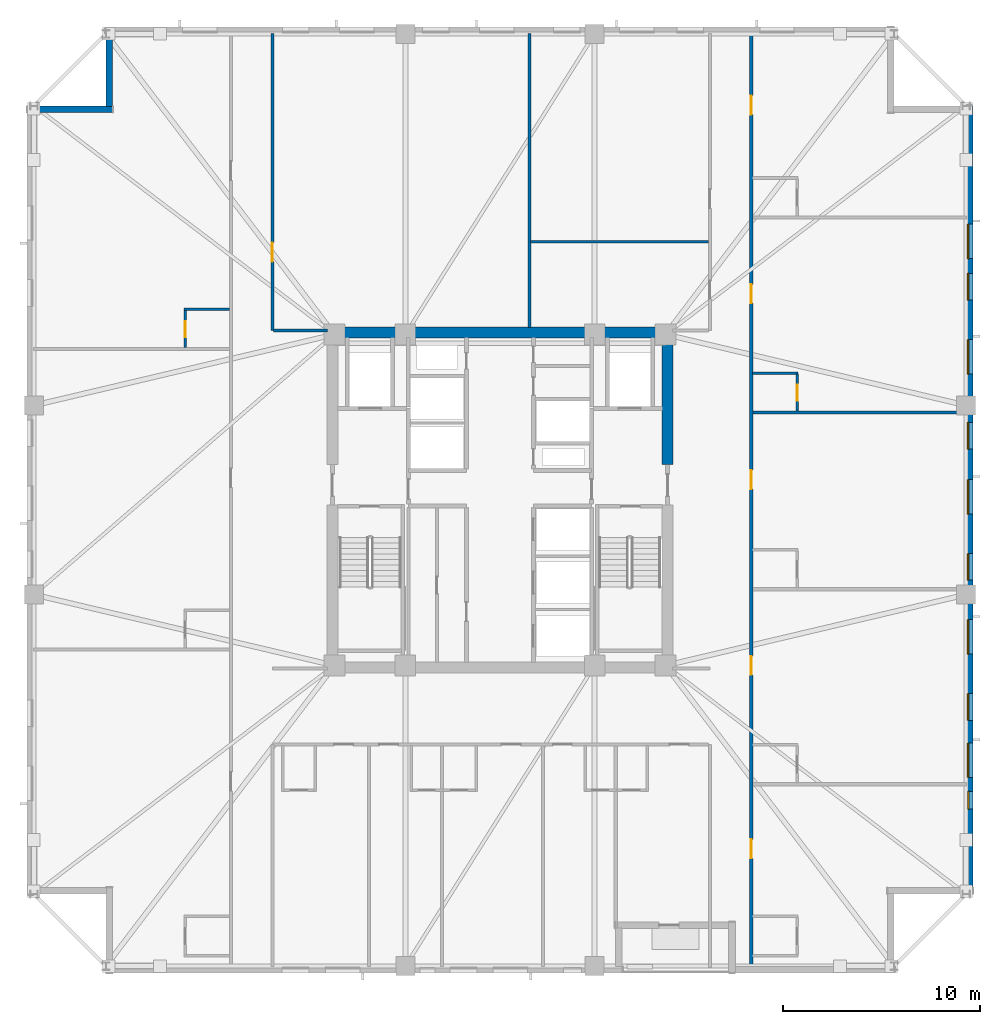
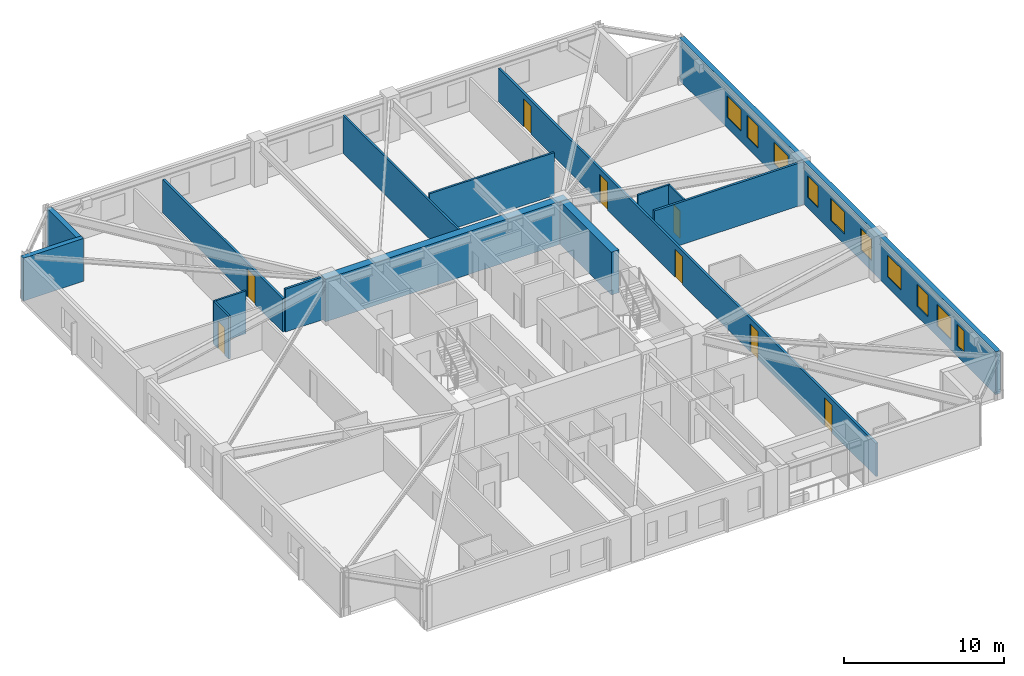
# One storey, part 5 of 11: 15 walls, 10 windows, 8 doors, 18 openings.
"""IFC4 building model written with IfcOpenShell, lengths in metres."""

from ifc_helpers import new_model, si_unit, direction, frame, frame_2d, origin, place, context, subcontext, project, spatial, rectangle, extrude, material, layer, layer_set, type_object, element, fill, save


model = new_model("IFC4")

# Units and contexts
model_context = context("Model", 3, precision=1e-05, world=origin(), true_north=direction((0.0, 1.0)))
body_context = subcontext(model_context, "Body", "Model", "MODEL_VIEW")
ifc_project = project(units=[si_unit("LENGTHUNIT", "METRE"), si_unit("AREAUNIT", "SQUARE_METRE"), si_unit("VOLUMEUNIT", "CUBIC_METRE"), si_unit("PLANEANGLEUNIT", "RADIAN"), si_unit("MASSUNIT", "GRAM", prefix="KILO")], contexts=[model_context])

# Site, building, storey
site_placement = place(None, origin())
site = spatial("IfcSite", under=ifc_project, at=site_placement, CompositionType="ELEMENT")
building_placement = place(site_placement, origin())
building = spatial("IfcBuilding", under=site, at=building_placement, Name="Cairnveth Concourse Tower", CompositionType="ELEMENT")
storey_placement = place(building_placement, frame((0.0, 0.0, 165.5)))
storey = spatial("IfcBuildingStorey", under=building, at=storey_placement, Name="L45", CompositionType="ELEMENT", Elevation=165.5)

# Wall, opening, door
ifc_material_1 = material(Name="Gypsum Plasterboard Partition", Category="gypsum")
ifc_layer_1 = layer(ifc_material_1, 0.159912109375)
ifc_layer_set_1 = layer_set([ifc_layer_1], Name="Gypsum Plasterboard Partition")
wall_type_1 = type_object("IfcWallType", Name="ACOUSTIC PARTY WALL 180", PredefinedType="PARTITIONING", material=ifc_layer_set_1)
wall_1_placement = place(storey_placement, frame((40.449951171875, 47.60009765625, 0.0), z_axis=(0.0, 0.0, 1.0), x_axis=(0.0, 1.0, 0.0)))
wall_1 = element("IfcWall", 1, at=wall_1_placement, inside=storey, type_object=wall_type_1, Name="Interior Wall IW-L45-039", PredefinedType="PARTITIONING", context=body_context, shape_type="SweptSolid", body=[
    extrude(rectangle(XDim=15.074951171875, YDim=0.159912109375, at=frame_2d((7.53759765625, 0.0))), origin(), (0.0, 0.0, 1.0), 2.554931640625),
])
opening_1_placement = place(wall_1_placement, frame((3.5, 0.0, 0.0)))
opening_1 = element("IfcOpeningElement", 2, at=opening_1_placement, cuts=wall_1, Name="Opening ID11", PredefinedType="OPENING", context=body_context, shape_type="SweptSolid", body=[
    extrude(rectangle(XDim=0.9599609375, YDim=2.1201171875, at=frame_2d((0.47998046875, 1.06005859375))), frame((0.0, 0.08984375, 0.0), z_axis=(0.0, -1.0, 0.0), x_axis=(1.0, 0.0, 0.0)), (0.0, 0.0, 1.0), 0.179931640625),
])
ifc_material_2 = material(Name="Solid Core Hardwood Timber Leaf", Category="wood")
door_type_1 = type_object("IfcDoorType", Name="INTERIOR SINGLE DOOR 960X2150", OperationType="NOTDEFINED", PredefinedType="DOOR", material=ifc_material_2)
door_1_placement = place(opening_1_placement, origin())
door_1 = element("IfcDoor", 3, at=door_1_placement, inside=storey, type_object=door_type_1, Name="Interior Door DR-L45-016", OperationType="SINGLE_SWING_RIGHT", OverallHeight=2.1201171875, OverallWidth=0.9599609375, PredefinedType="DOOR", context=body_context, shape_type="SweptSolid", body=[
    extrude(rectangle(XDim=0.9599609375, YDim=2.1201171875, at=frame_2d((0.47998046875, 1.06005859375))), frame((0.0, 0.02490234375, 0.0), z_axis=(0.0, -1.0, 0.0), x_axis=(1.0, 0.0, 0.0)), (0.0, 0.0, 1.0), 0.050048828125),
])
fill(opening_1, door_1)

# Wall
wall_2_placement = place(storey_placement, frame((40.514892578125, 47.60009765625, 0.0), z_axis=(0.0, 0.0, 1.0), x_axis=(1.0, 0.0, 0.0)))
element("IfcWall", 4, at=wall_2_placement, inside=storey, type_object=wall_type_1, Name="Interior Wall IW-L45-041", PredefinedType="PARTITIONING", context=body_context, shape_type="SweptSolid", body=[
    extrude(rectangle(XDim=2.72021484375, YDim=0.159912109375, at=frame_2d((1.360107421875, 0.0))), origin(), (0.0, 0.0, 1.0), 3.280029296875),
])

# Wall, openings, doors
wall_3_placement = place(storey_placement, frame((64.75, 15.324951171875, 0.0), z_axis=(0.0, 0.0, 1.0), x_axis=(0.0, 1.0, 0.0)))
wall_3 = element("IfcWall", 5, at=wall_3_placement, inside=storey, type_object=wall_type_1, Name="Interior Wall IW-L45-042", PredefinedType="PARTITIONING", context=body_context, shape_type="SweptSolid", body=[
    extrude(rectangle(XDim=47.35009765625, YDim=0.159912109375, at=frame_2d((23.675048828125, 0.0))), origin(), (0.0, 0.0, 1.0), 2.554931640625),
])
opening_2_placement = place(wall_3_placement, frame((5.49365234375, 0.0, 0.0)))
opening_2 = element("IfcOpeningElement", 6, at=opening_2_placement, cuts=wall_3, Name="Opening ID09", PredefinedType="OPENING", context=body_context, shape_type="SweptSolid", body=[
    extrude(rectangle(XDim=0.9599609375, YDim=2.14990234375, at=frame_2d((0.47998046875, 1.074951171875))), frame((0.0, 0.08984375, 0.0), z_axis=(0.0, -1.0, 0.0), x_axis=(1.0, 0.0, 0.0)), (0.0, 0.0, 1.0), 0.179931640625),
])
opening_3_placement = place(wall_3_placement, frame((14.795654296875, 0.0, 0.0)))
opening_3 = element("IfcOpeningElement", 7, at=opening_3_placement, cuts=wall_3, Name="Opening ID09", PredefinedType="OPENING", context=body_context, shape_type="SweptSolid", body=[
    extrude(rectangle(XDim=0.9599609375, YDim=2.14990234375, at=frame_2d((0.47998046875, 1.074951171875))), frame((0.0, 0.08984375, 0.0), z_axis=(0.0, -1.0, 0.0), x_axis=(1.0, 0.0, 0.0)), (0.0, 0.0, 1.0), 0.179931640625),
])
opening_4_placement = place(wall_3_placement, frame((24.227783203125, 0.0, 0.0)))
opening_4 = element("IfcOpeningElement", 8, at=opening_4_placement, cuts=wall_3, Name="Opening ID09", PredefinedType="OPENING", context=body_context, shape_type="SweptSolid", body=[
    extrude(rectangle(XDim=0.9599609375, YDim=2.14990234375, at=frame_2d((0.47998046875, 1.074951171875))), frame((0.0, 0.08984375, 0.0), z_axis=(0.0, -1.0, 0.0), x_axis=(1.0, 0.0, 0.0)), (0.0, 0.0, 1.0), 0.179931640625),
])
opening_5_placement = place(wall_3_placement, frame((33.659912109375, 0.0, 0.0)))
opening_5 = element("IfcOpeningElement", 9, at=opening_5_placement, cuts=wall_3, Name="Opening ID09", PredefinedType="OPENING", context=body_context, shape_type="SweptSolid", body=[
    extrude(rectangle(XDim=0.9599609375, YDim=2.14990234375, at=frame_2d((0.47998046875, 1.074951171875))), frame((0.0, 0.08984375, 0.0), z_axis=(0.0, -1.0, 0.0), x_axis=(1.0, 0.0, 0.0)), (0.0, 0.0, 1.0), 0.179931640625),
])
opening_6_placement = place(wall_3_placement, frame((43.22900390625, 0.0, 0.0)))
opening_6 = element("IfcOpeningElement", 10, at=opening_6_placement, cuts=wall_3, Name="Opening ID09", PredefinedType="OPENING", context=body_context, shape_type="SweptSolid", body=[
    extrude(rectangle(XDim=0.9599609375, YDim=2.14990234375, at=frame_2d((0.47998046875, 1.074951171875))), frame((0.0, 0.08984375, 0.0), z_axis=(0.0, -1.0, 0.0), x_axis=(1.0, 0.0, 0.0)), (0.0, 0.0, 1.0), 0.179931640625),
])
door_type_2 = type_object("IfcDoorType", Name="HOTEL ENTRANCE DOOR 960X2150", OperationType="NOTDEFINED", PredefinedType="DOOR", material=ifc_material_2)
door_2_placement = place(opening_2_placement, origin())
door_2 = element("IfcDoor", 11, at=door_2_placement, inside=storey, type_object=door_type_2, Name="Hotel Room Door L45-E1", OperationType="SINGLE_SWING_RIGHT", OverallHeight=2.14990234375, OverallWidth=0.9599609375, PredefinedType="DOOR", context=body_context, shape_type="SweptSolid", body=[
    extrude(rectangle(XDim=0.9599609375, YDim=2.14990234375, at=frame_2d((0.47998046875, 1.074951171875))), frame((0.0, 0.02490234375, 0.0), z_axis=(0.0, -1.0, 0.0), x_axis=(1.0, 0.0, 0.0)), (0.0, 0.0, 1.0), 0.050048828125),
])
fill(opening_2, door_2)
door_3_placement = place(opening_3_placement, origin())
door_3 = element("IfcDoor", 12, at=door_3_placement, inside=storey, type_object=door_type_2, Name="Hotel Room Door L45-E2", OperationType="SINGLE_SWING_RIGHT", OverallHeight=2.14990234375, OverallWidth=0.9599609375, PredefinedType="DOOR", context=body_context, shape_type="SweptSolid", body=[
    extrude(rectangle(XDim=0.9599609375, YDim=2.14990234375, at=frame_2d((0.47998046875, 1.074951171875))), frame((0.0, 0.02490234375, 0.0), z_axis=(0.0, -1.0, 0.0), x_axis=(1.0, 0.0, 0.0)), (0.0, 0.0, 1.0), 0.050048828125),
])
fill(opening_3, door_3)
door_4_placement = place(opening_4_placement, origin())
door_4 = element("IfcDoor", 13, at=door_4_placement, inside=storey, type_object=door_type_2, Name="Hotel Room Door L45-E3", OperationType="SINGLE_SWING_RIGHT", OverallHeight=2.14990234375, OverallWidth=0.9599609375, PredefinedType="DOOR", context=body_context, shape_type="SweptSolid", body=[
    extrude(rectangle(XDim=0.9599609375, YDim=2.14990234375, at=frame_2d((0.47998046875, 1.074951171875))), frame((0.0, 0.02490234375, 0.0), z_axis=(0.0, -1.0, 0.0), x_axis=(1.0, 0.0, 0.0)), (0.0, 0.0, 1.0), 0.050048828125),
])
fill(opening_4, door_4)
door_5_placement = place(opening_5_placement, origin())
door_5 = element("IfcDoor", 14, at=door_5_placement, inside=storey, type_object=door_type_2, Name="Hotel Room Door L45-E4", OperationType="SINGLE_SWING_RIGHT", OverallHeight=2.14990234375, OverallWidth=0.9599609375, PredefinedType="DOOR", context=body_context, shape_type="SweptSolid", body=[
    extrude(rectangle(XDim=0.9599609375, YDim=2.14990234375, at=frame_2d((0.47998046875, 1.074951171875))), frame((0.0, 0.02490234375, 0.0), z_axis=(0.0, -1.0, 0.0), x_axis=(1.0, 0.0, 0.0)), (0.0, 0.0, 1.0), 0.050048828125),
])
fill(opening_5, door_5)
door_6_placement = place(opening_6_placement, origin())
door_6 = element("IfcDoor", 15, at=door_6_placement, inside=storey, type_object=door_type_2, Name="Hotel Room Door L45-E5", OperationType="SINGLE_SWING_RIGHT", OverallHeight=2.14990234375, OverallWidth=0.9599609375, PredefinedType="DOOR", context=body_context, shape_type="SweptSolid", body=[
    extrude(rectangle(XDim=0.9599609375, YDim=2.14990234375, at=frame_2d((0.47998046875, 1.074951171875))), frame((0.0, 0.02490234375, 0.0), z_axis=(0.0, -1.0, 0.0), x_axis=(1.0, 0.0, 0.0)), (0.0, 0.0, 1.0), 0.050048828125),
])
fill(opening_6, door_6)

# Walls
wall_4_placement = place(storey_placement, frame((64.830078125, 43.44140625, 0.0), z_axis=(0.0, 0.0, 1.0), x_axis=(1.0, 0.0, 0.0)))
element("IfcWall", 16, at=wall_4_placement, inside=storey, type_object=wall_type_1, Name="Interior Wall IW-L45-083", PredefinedType="PARTITIONING", context=body_context, shape_type="SweptSolid", body=[
    extrude(rectangle(XDim=10.844970703125, YDim=0.159912109375, at=frame_2d((5.42236328125, 0.0))), origin(), (0.0, 0.0, 1.0), 3.280029296875),
])
ifc_material_3 = material(Name="Concrete N80 (80 MPa)", Category="concrete")
ifc_layer_2 = layer(ifc_material_3, 0.550048828125)
ifc_layer_set_2 = layer_set([ifc_layer_2], Name="Concrete N80 (80 MPa)")
wall_type_2 = type_object("IfcWallType", Name="CORE SHEAR WALL 550", PredefinedType="SHEAR", material=ifc_layer_set_2)
wall_5_placement = place(storey_placement, frame((43.22509765625, 47.5, 0.0), z_axis=(0.0, 0.0, 1.0), x_axis=(1.0, 0.0, 0.0)))
element("IfcWall", 17, at=wall_5_placement, inside=storey, type_object=wall_type_2, Name="Core North Shear Wall L45", PredefinedType="SHEAR", context=body_context, shape_type="SweptSolid", body=[
    extrude(rectangle(XDim=17.5498046875, YDim=0.550048828125, at=frame_2d((8.77490234375, 0.0))), origin(), (0.0, 0.0, 1.0), 3.280029296875),
])
wall_6_placement = place(storey_placement, frame((60.5, 40.800048828125, 0.0), z_axis=(0.0, 0.0, 1.0), x_axis=(0.0, 1.0, 0.0)))
element("IfcWall", 18, at=wall_6_placement, inside=storey, type_object=wall_type_2, Name="Core East Shear Wall N L45", PredefinedType="SHEAR", context=body_context, shape_type="SweptSolid", body=[
    extrude(rectangle(XDim=6.43505859375, YDim=0.550048828125, at=frame_2d((3.217529296875, 0.0))), origin(), (0.0, 0.0, 1.0), 3.280029296875),
])
ifc_layer_3 = layer(ifc_material_1, 0.139892578125)
ifc_layer_set_3 = layer_set([ifc_layer_3], Name="Gypsum Plasterboard Partition")
wall_type_3 = type_object("IfcWallType", Name="GYPSUM STUD PARTITION 140", PredefinedType="PARTITIONING", material=ifc_layer_set_3)
wall_7_placement = place(storey_placement, frame((53.5, 47.760009765625, 0.0), z_axis=(0.0, 0.0, 1.0), x_axis=(0.0, 1.0, 0.0)))
element("IfcWall", 19, at=wall_7_placement, inside=storey, type_object=wall_type_3, Name="Interior Wall IW-L45-048", PredefinedType="PARTITIONING", context=body_context, shape_type="SweptSolid", body=[
    extrude(rectangle(XDim=14.9150390625, YDim=0.139892578125, at=frame_2d((7.45751953125, 0.0))), origin(), (0.0, 0.0, 1.0), 2.89599609375),
])
wall_8_placement = place(storey_placement, frame((53.554931640625, 52.10009765625, 0.0), z_axis=(0.0, 0.0, 1.0), x_axis=(1.0, 0.0, 0.0)))
element("IfcWall", 20, at=wall_8_placement, inside=storey, type_object=wall_type_3, Name="Interior Wall IW-L45-049", PredefinedType="PARTITIONING", context=body_context, shape_type="SweptSolid", body=[
    extrude(rectangle(XDim=9.030029296875, YDim=0.139892578125, at=frame_2d((4.51513671875, 0.0))), origin(), (0.0, 0.0, 1.0), 3.280029296875),
])
ifc_layer_4 = layer(ifc_material_1, 0.1298828125)
ifc_layer_set_4 = layer_set([ifc_layer_4], Name="Gypsum Plasterboard Partition")
wall_type_4 = type_object("IfcWallType", Name="WET AREA PARTITION 140", PredefinedType="PLUMBINGWALL", material=ifc_layer_set_4)
wall_9_placement = place(storey_placement, frame((35.969970703125, 48.669921875, 0.0), z_axis=(0.0, 0.0, 1.0), x_axis=(1.0, 0.0, 0.0)))
element("IfcWall", 21, at=wall_9_placement, inside=storey, type_object=wall_type_4, Name="Interior Wall IW-L45-072", PredefinedType="PLUMBINGWALL", context=body_context, shape_type="SweptSolid", body=[
    extrude(rectangle(XDim=2.31494140625, YDim=0.1298828125, at=frame_2d((1.157470703125, 0.0))), origin(), (0.0, 0.0, 1.0), 3.280029296875),
])

# Wall, opening, door
wall_10_placement = place(storey_placement, frame((36.02001953125, 46.73486328125, 0.0), z_axis=(0.0, 0.0, 1.0), x_axis=(0.0, 1.0, 0.0)))
wall_10 = element("IfcWall", 22, at=wall_10_placement, inside=storey, type_object=wall_type_4, Name="Interior Wall IW-L45-073", PredefinedType="PLUMBINGWALL", context=body_context, shape_type="SweptSolid", body=[
    extrude(rectangle(XDim=1.885009765625, YDim=0.1298828125, at=frame_2d((0.9423828125, 0.0))), origin(), (0.0, 0.0, 1.0), 3.280029296875),
])
opening_7_placement = place(wall_10_placement, frame((0.52490234375, 0.0, 0.0)))
opening_7 = element("IfcOpeningElement", 23, at=opening_7_placement, cuts=wall_10, Name="Opening ID22", PredefinedType="OPENING", context=body_context, shape_type="SweptSolid", body=[
    extrude(rectangle(XDim=0.820068359375, YDim=2.10009765625, at=frame_2d((0.41015625, 1.050048828125))), frame((0.0, 0.074951171875, 0.0), z_axis=(0.0, -1.0, 0.0), x_axis=(1.0, 0.0, 0.0)), (0.0, 0.0, 1.0), 0.14990234375),
])
door_type_3 = type_object("IfcDoorType", Name="INTERIOR WC DOOR 820X2100", OperationType="NOTDEFINED", PredefinedType="DOOR", material=ifc_material_2)
door_7_placement = place(opening_7_placement, origin())
door_7 = element("IfcDoor", 24, at=door_7_placement, inside=storey, type_object=door_type_3, Name="En-Suite Door L45-W3", OperationType="SINGLE_SWING_LEFT", OverallHeight=2.10009765625, OverallWidth=0.820068359375, PredefinedType="DOOR", context=body_context, shape_type="SweptSolid", body=[
    extrude(rectangle(XDim=0.820068359375, YDim=2.10009765625, at=frame_2d((0.41015625, 1.050048828125))), frame((0.0, 0.02490234375, 0.0), z_axis=(0.0, -1.0, 0.0), x_axis=(1.0, 0.0, 0.0)), (0.0, 0.0, 1.0), 0.050048828125),
])
fill(opening_7, door_7)

# Wall
wall_11_placement = place(storey_placement, frame((64.81494140625, 45.44140625, 0.0), z_axis=(0.0, 0.0, 1.0), x_axis=(1.0, 0.0, 0.0)))
element("IfcWall", 25, at=wall_11_placement, inside=storey, type_object=wall_type_4, Name="Interior Wall IW-L45-084", PredefinedType="PLUMBINGWALL", context=body_context, shape_type="SweptSolid", body=[
    extrude(rectangle(XDim=2.31494140625, YDim=0.1298828125, at=frame_2d((1.157470703125, 0.0))), origin(), (0.0, 0.0, 1.0), 3.280029296875),
])

# Wall, opening, door
wall_12_placement = place(storey_placement, frame((67.080078125, 43.50634765625, 0.0), z_axis=(0.0, 0.0, 1.0), x_axis=(0.0, 1.0, 0.0)))
wall_12 = element("IfcWall", 26, at=wall_12_placement, inside=storey, type_object=wall_type_4, Name="Interior Wall IW-L45-085", PredefinedType="PLUMBINGWALL", context=body_context, shape_type="SweptSolid", body=[
    extrude(rectangle(XDim=1.885009765625, YDim=0.1298828125, at=frame_2d((0.9423828125, 0.0))), origin(), (0.0, 0.0, 1.0), 3.280029296875),
])
opening_8_placement = place(wall_12_placement, frame((0.52490234375, 0.0, 0.0)))
opening_8 = element("IfcOpeningElement", 27, at=opening_8_placement, cuts=wall_12, Name="Opening ID22", PredefinedType="OPENING", context=body_context, shape_type="SweptSolid", body=[
    extrude(rectangle(XDim=0.820068359375, YDim=2.10009765625, at=frame_2d((0.41015625, 1.050048828125))), frame((0.0, 0.074951171875, 0.0), z_axis=(0.0, -1.0, 0.0), x_axis=(1.0, 0.0, 0.0)), (0.0, 0.0, 1.0), 0.14990234375),
])
door_8_placement = place(opening_8_placement, origin())
door_8 = element("IfcDoor", 28, at=door_8_placement, inside=storey, type_object=door_type_3, Name="En-Suite Door L45-E4", OperationType="SINGLE_SWING_LEFT", OverallHeight=2.10009765625, OverallWidth=0.820068359375, PredefinedType="DOOR", context=body_context, shape_type="SweptSolid", body=[
    extrude(rectangle(XDim=0.820068359375, YDim=2.10009765625, at=frame_2d((0.41015625, 1.050048828125))), frame((0.0, 0.02490234375, 0.0), z_axis=(0.0, -1.0, 0.0), x_axis=(1.0, 0.0, 0.0)), (0.0, 0.0, 1.0), 0.050048828125),
])
fill(opening_8, door_8)

# Walls
ifc_material_4 = material(Name="Hawthorn Red-Ochre Fired Clay Brick Masonry", Category="masonry")
ifc_layer_5 = layer(ifc_material_4, 0.340087890625)
ifc_layer_set_5 = layer_set([ifc_layer_5], Name="Hawthorn Red-Ochre Fired Clay Brick Masonry")
wall_type_5 = type_object("IfcWallType", Name="ZONE 2 BRICK PIER SPANDREL WALL 340", PredefinedType="SOLIDWALL", material=ifc_layer_set_5)
wall_13_placement = place(storey_placement, frame((28.0, 58.830078125, 0.0), z_axis=(0.0, 0.0, 1.0), x_axis=(1.0, 0.0, 0.0)))
element("IfcWall", 29, at=wall_13_placement, inside=storey, type_object=wall_type_5, Name="Exterior Wall EW-L45-S04", PredefinedType="SOLIDWALL", context=body_context, shape_type="SweptSolid", body=[
    extrude(rectangle(XDim=4.340087890625, YDim=0.340087890625, at=frame_2d((2.169921875, 0.0))), origin(), (0.0, 0.0, 1.0), 3.280029296875),
])
wall_14_placement = place(storey_placement, frame((32.169921875, 58.97802734375, 0.0), z_axis=(0.0, 0.0, 1.0), x_axis=(0.0, 1.0, 0.0)))
element("IfcWall", 30, at=wall_14_placement, inside=storey, type_object=wall_type_5, Name="Exterior Wall EW-L45-S05", PredefinedType="SOLIDWALL", context=body_context, shape_type="SweptSolid", body=[
    extrude(rectangle(XDim=3.703857421875, YDim=0.340087890625, at=frame_2d((1.85205078125, 0.0))), origin(), (0.0, 0.0, 1.0), 3.280029296875),
])

# Wall, openings, windows
wall_15_placement = place(storey_placement, frame((75.830078125, 59.0, 0.0), z_axis=(0.0, 0.0, 1.0), x_axis=(0.0, -1.0, 0.0)))
wall_15 = element("IfcWall", 31, at=wall_15_placement, inside=storey, type_object=wall_type_5, Name="Exterior Wall EW-L45-S09", PredefinedType="SOLIDWALL", context=body_context, shape_type="SweptSolid", body=[
    extrude(rectangle(XDim=39.681884765625, YDim=0.340087890625, at=frame_2d((19.8408203125, 0.0))), origin(), (0.0, 0.0, 1.0), 3.280029296875),
])
opening_9_placement = place(wall_15_placement, frame((6.001708984375, 0.0, 0.800048828125)))
opening_9 = element("IfcOpeningElement", 32, at=opening_9_placement, cuts=wall_15, Name="Opening W06", PredefinedType="OPENING", context=body_context, shape_type="SweptSolid", body=[
    extrude(rectangle(XDim=1.75, YDim=1.659912109375, at=frame_2d((0.875, 0.830078125))), frame((0.0, 0.179931640625, 0.0), z_axis=(0.0, -1.0, 0.0), x_axis=(1.0, 0.0, 0.0)), (0.0, 0.0, 1.0), 0.360107421875),
])
opening_10_placement = place(wall_15_placement, frame((8.50537109375, 0.0, 0.800048828125)))
opening_10 = element("IfcOpeningElement", 33, at=opening_10_placement, cuts=wall_15, Name="Opening W02", PredefinedType="OPENING", context=body_context, shape_type="SweptSolid", body=[
    extrude(rectangle(XDim=1.35009765625, YDim=1.659912109375, at=frame_2d((0.675048828125, 0.830078125))), frame((0.0, 0.179931640625, 0.0), z_axis=(0.0, -1.0, 0.0), x_axis=(1.0, 0.0, 0.0)), (0.0, 0.0, 1.0), 0.360107421875),
])
opening_11_placement = place(wall_15_placement, frame((11.85888671875, 0.0, 0.800048828125)))
opening_11 = element("IfcOpeningElement", 34, at=opening_11_placement, cuts=wall_15, Name="Opening W06", PredefinedType="OPENING", context=body_context, shape_type="SweptSolid", body=[
    extrude(rectangle(XDim=1.75, YDim=1.659912109375, at=frame_2d((0.875, 0.830078125))), frame((0.0, 0.179931640625, 0.0), z_axis=(0.0, -1.0, 0.0), x_axis=(1.0, 0.0, 0.0)), (0.0, 0.0, 1.0), 0.360107421875),
])
opening_12_placement = place(wall_15_placement, frame((16.0625, 0.0, 0.800048828125)))
opening_12 = element("IfcOpeningElement", 35, at=opening_12_placement, cuts=wall_15, Name="Opening W02", PredefinedType="OPENING", context=body_context, shape_type="SweptSolid", body=[
    extrude(rectangle(XDim=1.35009765625, YDim=1.659912109375, at=frame_2d((0.675048828125, 0.830078125))), frame((0.0, 0.179931640625, 0.0), z_axis=(0.0, -1.0, 0.0), x_axis=(1.0, 0.0, 0.0)), (0.0, 0.0, 1.0), 0.360107421875),
])
opening_13_placement = place(wall_15_placement, frame((18.966064453125, 0.0, 0.800048828125)))
opening_13 = element("IfcOpeningElement", 36, at=opening_13_placement, cuts=wall_15, Name="Opening W06", PredefinedType="OPENING", context=body_context, shape_type="SweptSolid", body=[
    extrude(rectangle(XDim=1.75, YDim=1.659912109375, at=frame_2d((0.875, 0.830078125))), frame((0.0, 0.179931640625, 0.0), z_axis=(0.0, -1.0, 0.0), x_axis=(1.0, 0.0, 0.0)), (0.0, 0.0, 1.0), 0.360107421875),
])
opening_14_placement = place(wall_15_placement, frame((22.719482421875, 0.0, 0.800048828125)))
opening_14 = element("IfcOpeningElement", 37, at=opening_14_placement, cuts=wall_15, Name="Opening W02", PredefinedType="OPENING", context=body_context, shape_type="SweptSolid", body=[
    extrude(rectangle(XDim=1.35009765625, YDim=1.659912109375, at=frame_2d((0.675048828125, 0.830078125))), frame((0.0, 0.179931640625, 0.0), z_axis=(0.0, -1.0, 0.0), x_axis=(1.0, 0.0, 0.0)), (0.0, 0.0, 1.0), 0.360107421875),
])
opening_15_placement = place(wall_15_placement, frame((26.072998046875, 0.0, 0.800048828125)))
opening_15 = element("IfcOpeningElement", 38, at=opening_15_placement, cuts=wall_15, Name="Opening W06", PredefinedType="OPENING", context=body_context, shape_type="SweptSolid", body=[
    extrude(rectangle(XDim=1.75, YDim=1.659912109375, at=frame_2d((0.875, 0.830078125))), frame((0.0, 0.179931640625, 0.0), z_axis=(0.0, -1.0, 0.0), x_axis=(1.0, 0.0, 0.0)), (0.0, 0.0, 1.0), 0.360107421875),
])
opening_16_placement = place(wall_15_placement, frame((29.82666015625, 0.0, 0.800048828125)))
opening_16 = element("IfcOpeningElement", 39, at=opening_16_placement, cuts=wall_15, Name="Opening W02", PredefinedType="OPENING", context=body_context, shape_type="SweptSolid", body=[
    extrude(rectangle(XDim=1.35009765625, YDim=1.659912109375, at=frame_2d((0.675048828125, 0.830078125))), frame((0.0, 0.179931640625, 0.0), z_axis=(0.0, -1.0, 0.0), x_axis=(1.0, 0.0, 0.0)), (0.0, 0.0, 1.0), 0.360107421875),
])
opening_17_placement = place(wall_15_placement, frame((32.330078125, 0.0, 0.800048828125)))
opening_17 = element("IfcOpeningElement", 40, at=opening_17_placement, cuts=wall_15, Name="Opening W06", PredefinedType="OPENING", context=body_context, shape_type="SweptSolid", body=[
    extrude(rectangle(XDim=1.75, YDim=1.659912109375, at=frame_2d((0.875, 0.830078125))), frame((0.0, 0.179931640625, 0.0), z_axis=(0.0, -1.0, 0.0), x_axis=(1.0, 0.0, 0.0)), (0.0, 0.0, 1.0), 0.360107421875),
])
opening_18_placement = place(wall_15_placement, frame((34.7900390625, 0.0, 0.800048828125)))
opening_18 = element("IfcOpeningElement", 41, at=opening_18_placement, cuts=wall_15, Name="Opening W13", PredefinedType="OPENING", context=body_context, shape_type="SweptSolid", body=[
    extrude(rectangle(XDim=0.89990234375, YDim=1.659912109375, at=frame_2d((0.449951171875, 0.830078125))), frame((0.0, 0.179931640625, 0.0), z_axis=(0.0, -1.0, 0.0), x_axis=(1.0, 0.0, 0.0)), (0.0, 0.0, 1.0), 0.360107421875),
])
ifc_material_5 = material(Name="Double Glazed Low-E Clear Glass", Category="glass")
window_type_1 = type_object("IfcWindowType", Name="DEEP-SET BEDROOM LANCET WINDOW 900X1750", PartitioningType="DOUBLE_PANEL_VERTICAL", PredefinedType="WINDOW", material=ifc_material_5)
window_1_placement = place(opening_18_placement, origin())
window_1 = element("IfcWindow", 42, at=window_1_placement, inside=storey, type_object=window_type_1, Name="Dwelling Lancet Window L45-DW3", OverallHeight=1.659912109375, OverallWidth=0.89990234375, PartitioningType="SINGLE_PANEL", PredefinedType="WINDOW", context=body_context, shape_type="SweptSolid", body=[
    extrude(rectangle(XDim=0.89990234375, YDim=1.659912109375, at=frame_2d((0.449951171875, 0.830078125))), frame((0.0, -0.0400390625, 0.0), z_axis=(0.0, -1.0, 0.0), x_axis=(1.0, 0.0, 0.0)), (0.0, 0.0, 1.0), 0.06005859375),
])
fill(opening_18, window_1)
window_type_2 = type_object("IfcWindowType", Name="DEEP-SET GOTHIC LANCET WINDOW 1350X1800", PartitioningType="DOUBLE_PANEL_VERTICAL", PredefinedType="WINDOW", material=ifc_material_5)
window_2_placement = place(opening_10_placement, origin())
window_2 = element("IfcWindow", 43, at=window_2_placement, inside=storey, type_object=window_type_2, Name="Gothic Lancet Window L45-9-2", OverallHeight=1.659912109375, OverallWidth=1.35009765625, PartitioningType="SINGLE_PANEL", PredefinedType="WINDOW", context=body_context, shape_type="SweptSolid", body=[
    extrude(rectangle(XDim=1.35009765625, YDim=1.659912109375, at=frame_2d((0.675048828125, 0.830078125))), frame((0.0, -0.050048828125, 0.0), z_axis=(0.0, -1.0, 0.0), x_axis=(1.0, 0.0, 0.0)), (0.0, 0.0, 1.0), 0.06005859375),
])
fill(opening_10, window_2)
window_3_placement = place(opening_12_placement, origin())
window_3 = element("IfcWindow", 44, at=window_3_placement, inside=storey, type_object=window_type_2, Name="Gothic Lancet Window L45-9-4", OverallHeight=1.659912109375, OverallWidth=1.35009765625, PartitioningType="SINGLE_PANEL", PredefinedType="WINDOW", context=body_context, shape_type="SweptSolid", body=[
    extrude(rectangle(XDim=1.35009765625, YDim=1.659912109375, at=frame_2d((0.675048828125, 0.830078125))), frame((0.0, -0.050048828125, 0.0), z_axis=(0.0, -1.0, 0.0), x_axis=(1.0, 0.0, 0.0)), (0.0, 0.0, 1.0), 0.06005859375),
])
fill(opening_12, window_3)
window_4_placement = place(opening_14_placement, origin())
window_4 = element("IfcWindow", 45, at=window_4_placement, inside=storey, type_object=window_type_2, Name="Gothic Lancet Window L45-9-6", OverallHeight=1.659912109375, OverallWidth=1.35009765625, PartitioningType="SINGLE_PANEL", PredefinedType="WINDOW", context=body_context, shape_type="SweptSolid", body=[
    extrude(rectangle(XDim=1.35009765625, YDim=1.659912109375, at=frame_2d((0.675048828125, 0.830078125))), frame((0.0, -0.050048828125, 0.0), z_axis=(0.0, -1.0, 0.0), x_axis=(1.0, 0.0, 0.0)), (0.0, 0.0, 1.0), 0.06005859375),
])
fill(opening_14, window_4)
window_5_placement = place(opening_16_placement, origin())
window_5 = element("IfcWindow", 46, at=window_5_placement, inside=storey, type_object=window_type_2, Name="Gothic Lancet Window L45-9-8", OverallHeight=1.659912109375, OverallWidth=1.35009765625, PartitioningType="SINGLE_PANEL", PredefinedType="WINDOW", context=body_context, shape_type="SweptSolid", body=[
    extrude(rectangle(XDim=1.35009765625, YDim=1.659912109375, at=frame_2d((0.675048828125, 0.830078125))), frame((0.0, -0.050048828125, 0.0), z_axis=(0.0, -1.0, 0.0), x_axis=(1.0, 0.0, 0.0)), (0.0, 0.0, 1.0), 0.06005859375),
])
fill(opening_16, window_5)
window_type_3 = type_object("IfcWindowType", Name="DEEP-SET HOTEL SUITE WINDOW 1750X1800", PartitioningType="DOUBLE_PANEL_VERTICAL", PredefinedType="WINDOW", material=ifc_material_5)
window_6_placement = place(opening_9_placement, origin())
window_6 = element("IfcWindow", 47, at=window_6_placement, inside=storey, type_object=window_type_3, Name="Gothic Lancet Window L45-9-1", OverallHeight=1.659912109375, OverallWidth=1.75, PartitioningType="SINGLE_PANEL", PredefinedType="WINDOW", context=body_context, shape_type="SweptSolid", body=[
    extrude(rectangle(XDim=1.75, YDim=1.659912109375, at=frame_2d((0.875, 0.830078125))), frame((0.0, -0.050048828125, 0.0), z_axis=(0.0, -1.0, 0.0), x_axis=(1.0, 0.0, 0.0)), (0.0, 0.0, 1.0), 0.06005859375),
])
fill(opening_9, window_6)
window_7_placement = place(opening_11_placement, origin())
window_7 = element("IfcWindow", 48, at=window_7_placement, inside=storey, type_object=window_type_3, Name="Gothic Lancet Window L45-9-3", OverallHeight=1.659912109375, OverallWidth=1.75, PartitioningType="SINGLE_PANEL", PredefinedType="WINDOW", context=body_context, shape_type="SweptSolid", body=[
    extrude(rectangle(XDim=1.75, YDim=1.659912109375, at=frame_2d((0.875, 0.830078125))), frame((0.0, -0.050048828125, 0.0), z_axis=(0.0, -1.0, 0.0), x_axis=(1.0, 0.0, 0.0)), (0.0, 0.0, 1.0), 0.06005859375),
])
fill(opening_11, window_7)
window_8_placement = place(opening_13_placement, origin())
window_8 = element("IfcWindow", 49, at=window_8_placement, inside=storey, type_object=window_type_3, Name="Gothic Lancet Window L45-9-5", OverallHeight=1.659912109375, OverallWidth=1.75, PartitioningType="SINGLE_PANEL", PredefinedType="WINDOW", context=body_context, shape_type="SweptSolid", body=[
    extrude(rectangle(XDim=1.75, YDim=1.659912109375, at=frame_2d((0.875, 0.830078125))), frame((0.0, -0.050048828125, 0.0), z_axis=(0.0, -1.0, 0.0), x_axis=(1.0, 0.0, 0.0)), (0.0, 0.0, 1.0), 0.06005859375),
])
fill(opening_13, window_8)
window_9_placement = place(opening_15_placement, origin())
window_9 = element("IfcWindow", 50, at=window_9_placement, inside=storey, type_object=window_type_3, Name="Gothic Lancet Window L45-9-7", OverallHeight=1.659912109375, OverallWidth=1.75, PartitioningType="SINGLE_PANEL", PredefinedType="WINDOW", context=body_context, shape_type="SweptSolid", body=[
    extrude(rectangle(XDim=1.75, YDim=1.659912109375, at=frame_2d((0.875, 0.830078125))), frame((0.0, -0.050048828125, 0.0), z_axis=(0.0, -1.0, 0.0), x_axis=(1.0, 0.0, 0.0)), (0.0, 0.0, 1.0), 0.06005859375),
])
fill(opening_15, window_9)
window_10_placement = place(opening_17_placement, origin())
window_10 = element("IfcWindow", 51, at=window_10_placement, inside=storey, type_object=window_type_3, Name="Gothic Lancet Window L45-9-9", OverallHeight=1.659912109375, OverallWidth=1.75, PartitioningType="SINGLE_PANEL", PredefinedType="WINDOW", context=body_context, shape_type="SweptSolid", body=[
    extrude(rectangle(XDim=1.75, YDim=1.659912109375, at=frame_2d((0.875, 0.830078125))), frame((0.0, -0.050048828125, 0.0), z_axis=(0.0, -1.0, 0.0), x_axis=(1.0, 0.0, 0.0)), (0.0, 0.0, 1.0), 0.06005859375),
])
fill(opening_17, window_10)

save(model, "model.ifc")
